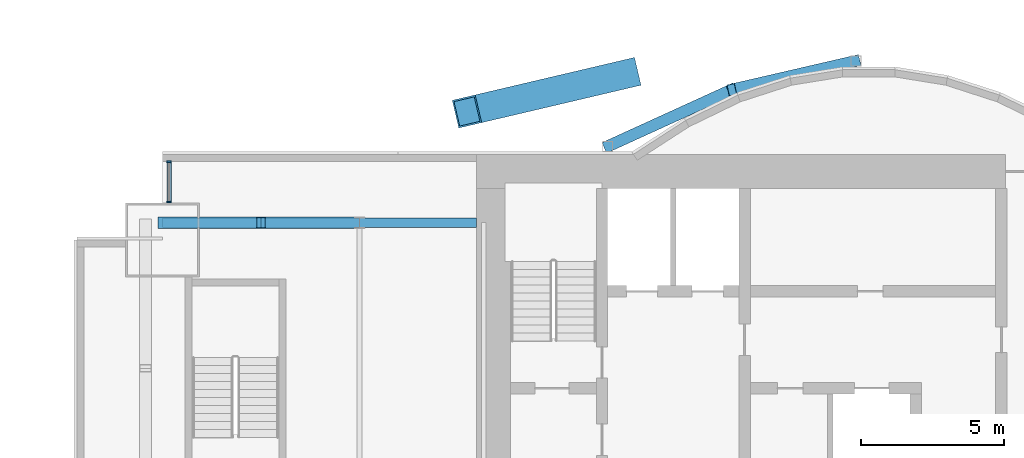
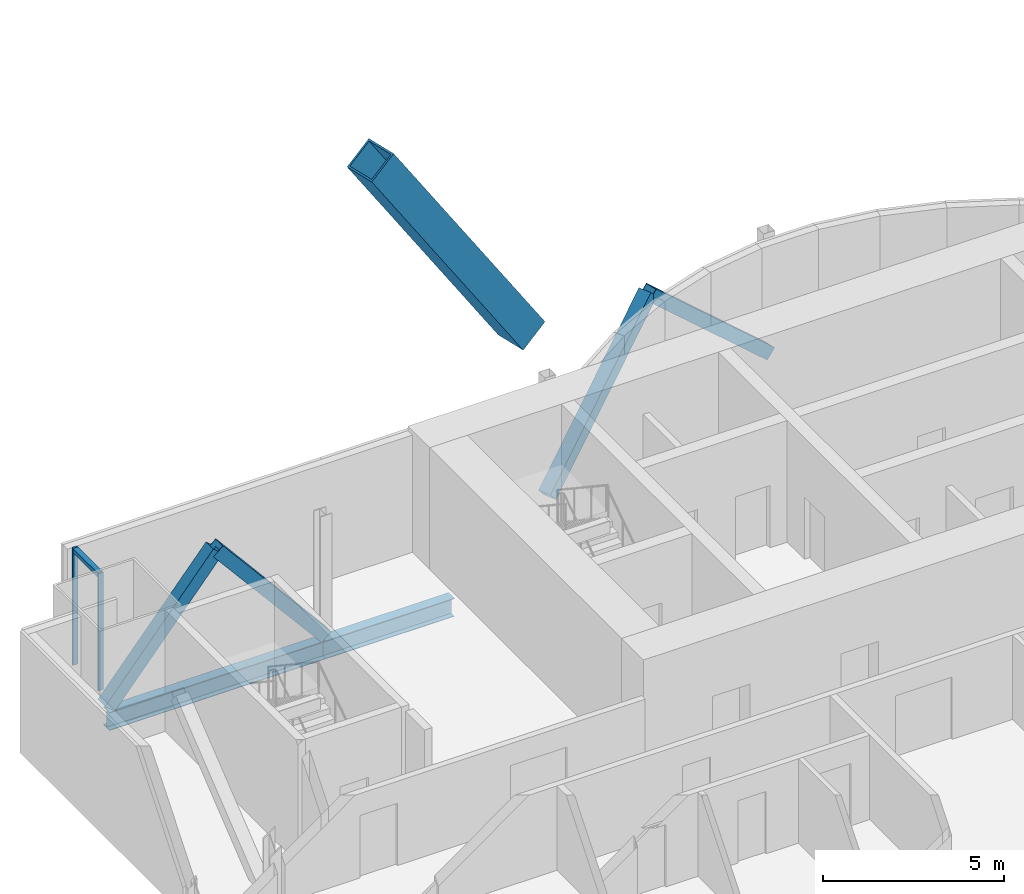
# One storey, part 12 of 24: 8 members, 2 beams, 1 element without a shape of its own.
"""IFC4 building model written with IfcOpenShell, lengths in metres."""

from ifc_helpers import new_model, si_unit, direction, frame, origin, origin_2d, place, context, subcontext, project, spatial, rectangle, hollow_rectangle, i_section, extrude, material, material_profile, profile_set, type_object, element, aggregate, save


model = new_model("IFC4")

# Units and contexts
model_context = context("Model", 3, precision=1e-05, world=origin(), true_north=direction((0.0, 1.0)))
body_context = subcontext(model_context, "Body", "Model", "MODEL_VIEW")
ifc_project = project(units=[si_unit("LENGTHUNIT", "METRE"), si_unit("AREAUNIT", "SQUARE_METRE"), si_unit("VOLUMEUNIT", "CUBIC_METRE"), si_unit("PLANEANGLEUNIT", "RADIAN"), si_unit("MASSUNIT", "GRAM", prefix="KILO")], contexts=[model_context])

# Site, building, storey
site_placement = place(None, origin())
site = spatial("IfcSite", under=ifc_project, at=site_placement, CompositionType="ELEMENT")
building_placement = place(site_placement, origin())
building = spatial("IfcBuilding", under=site, at=building_placement, Name="Bicima Exchange Tower", CompositionType="ELEMENT")
storey_placement = place(building_placement, frame((0.0, 0.0, 211.39990234375)))
storey = spatial("IfcBuildingStorey", under=building, at=storey_placement, Name="L47", CompositionType="ELEMENT", Elevation=211.39990234375)

# Member
ifc_material_1 = material(Name="Steel ASTM A572 Gr 50", Category="steel")
ifc_material_profile_1 = material_profile(ifc_material_1, hollow_rectangle(XDim=1.0, YDim=1.0, WallThickness=0.06005859375, at=origin_2d()))
ifc_profile_set_1 = profile_set([ifc_material_profile_1], Name="Steel ASTM A572 Gr 50")
member_type_1 = type_object("IfcMemberType", Name="Exo mega brace BOX 1000x1000x60", PredefinedType="BRACE", material=ifc_profile_set_1)
member_1_placement = place(storey_placement, frame((-16.75, 2.8125, 3.85009765625), z_axis=(-0.54817644634, -0.128864251848, 0.826375573377), x_axis=(0.228840031766, -0.973464041381, 0.0)))
element("IfcMember", 1, at=member_1_placement, inside=storey, type_object=member_type_1, Name="Exo mega brace rear", PredefinedType="BRACE", context=body_context, shape_type="SweptSolid", body=[
    extrude(hollow_rectangle(XDim=1.0, YDim=1.0, WallThickness=0.06005859375, at=origin_2d()), origin(), (0.0, 0.0, 1.0), 10.18505859375),
])

# Curtain wall, members
ifc_material_2 = material(Name="Anodised bronze aluminium", Category="aluminium")
curtain_wall_type = type_object("IfcCurtainWallType", Name="Front glass wall", PredefinedType="NOTDEFINED", material=ifc_material_2)
curtain_wall_placement = place(storey_placement, origin())
curtain_wall = element("IfcCurtainWall", 2, at=curtain_wall_placement, inside=storey, type_object=curtain_wall_type, Name="Front glass wall L47 run 1", PredefinedType="NOTDEFINED")
ifc_material_profile_2 = material_profile(ifc_material_2, rectangle(XDim=0.159912109375, YDim=0.06005859375, at=origin_2d()))
ifc_profile_set_2 = profile_set([ifc_material_profile_2], Name="Anodised bronze aluminium")
member_type_2 = type_object("IfcMemberType", Name="Front glass wall mullion 60 x 160", PredefinedType="MULLION", material=ifc_profile_set_2)
member_2_placement = place(storey_placement, frame((-32.77001953125, -0.260009765625, 0.0), z_axis=(0.0, 0.0, 1.0), x_axis=(1.0, 0.0, 0.0)))
member_2 = element("IfcMember", 3, at=member_2_placement, type_object=member_type_2, Name="Front glass wall mullion 1", PredefinedType="MULLION", context=body_context, shape_type="SweptSolid", body=[
    extrude(rectangle(XDim=0.159912109375, YDim=0.06005859375, at=origin_2d()), origin(), (0.0, 0.0, 1.0), 3.9501953125),
])
member_3_placement = place(storey_placement, frame((-32.77001953125, -1.669921875, 0.0), z_axis=(0.0, 0.0, 1.0), x_axis=(1.0, 0.0, 0.0)))
member_3 = element("IfcMember", 4, at=member_3_placement, type_object=member_type_2, Name="Front glass wall mullion 2", PredefinedType="MULLION", context=body_context, shape_type="SweptSolid", body=[
    extrude(rectangle(XDim=0.159912109375, YDim=0.06005859375, at=origin_2d()), origin(), (0.0, 0.0, 1.0), 3.9501953125),
])
ifc_material_profile_3 = material_profile(ifc_material_2, rectangle(XDim=0.159912109375, YDim=0.139892578125, at=origin_2d()))
ifc_profile_set_3 = profile_set([ifc_material_profile_3], Name="Anodised bronze aluminium")
member_type_3 = type_object("IfcMemberType", Name="Front glass wall transom 140 x 160", PredefinedType="USERDEFINED", material=ifc_profile_set_3)
member_4_placement = place(storey_placement, frame((-32.77001953125, -0.2900390625, 3.880126953125), z_axis=(0.0, -1.0, 0.0), x_axis=(1.0, 0.0, 0.0)))
member_4 = element("IfcMember", 5, at=member_4_placement, type_object=member_type_3, Name="Front glass wall transom 1.1", ObjectType="TRANSOM", PredefinedType="USERDEFINED", context=body_context, shape_type="SweptSolid", body=[
    extrude(rectangle(XDim=0.159912109375, YDim=0.139892578125, at=origin_2d()), origin(), (0.0, 0.0, 1.0), 1.349853515625),
])
aggregate(curtain_wall, [member_2, member_3, member_4])

# Members
ifc_material_profile_4 = material_profile(ifc_material_1, hollow_rectangle(XDim=0.406494140625, YDim=0.406494140625, WallThickness=0.0146484375, at=origin_2d()))
ifc_profile_set_4 = profile_set([ifc_material_profile_4], Name="Steel ASTM A572 Gr 50")
member_type_4 = type_object("IfcMemberType", Name="Mega brace HSS16x16x5/8", PredefinedType="BRACE", material=ifc_profile_set_4)
member_5_placement = place(storey_placement, frame((-17.39990234375, 0.278076171875, 0.0), z_axis=(0.690628963585, 0.315060460011, 0.650975069565), x_axis=(-0.415045223819, 0.909800781592, 0.0)))
element("IfcMember", 6, at=member_5_placement, inside=storey, type_object=member_type_4, Name="Mega brace rexo", PredefinedType="BRACE", context=body_context, shape_type="SweptSolid", body=[
    extrude(hollow_rectangle(XDim=0.406494140625, YDim=0.406494140625, WallThickness=0.0146484375, at=origin_2d()), origin(), (0.0, 0.0, 1.0), 6.29833984375),
])
member_6_placement = place(storey_placement, frame((-8.699951171875, 3.26904296875, 0.0), z_axis=(-0.717605620354, -0.166050509188, 0.676364843878), x_axis=(0.225438503722, -0.974257399787, 0.0)))
element("IfcMember", 7, at=member_6_placement, inside=storey, type_object=member_type_4, Name="Mega brace rexo", PredefinedType="BRACE", context=body_context, shape_type="SweptSolid", body=[
    extrude(hollow_rectangle(XDim=0.406494140625, YDim=0.406494140625, WallThickness=0.0146484375, at=origin_2d()), origin(), (0.0, 0.0, 1.0), 6.06201171875),
])
for number, where, z_axis, x_axis, name in (
    (8, (-33.0, -2.39990234375, 0.0), (0.643834042494, 0.0, 0.765165162384), (0.0, 1.0, 0.0), "Mega brace rear"),
    (9, (-26.10009765625, -2.39990234375, 0.0), (-0.643834042494, 0.0, 0.765165162384), (0.0, -1.0, 0.0), "Mega brace rear"),
):
    element("IfcMember", number, at=place(storey_placement, frame(where, z_axis=z_axis, x_axis=x_axis)), inside=storey, type_object=member_type_4, Name=name, PredefinedType="BRACE", context=body_context, shape_type="SweptSolid", body=[
        extrude(hollow_rectangle(XDim=0.406494140625, YDim=0.406494140625, WallThickness=0.0146484375, at=origin_2d()), origin(), (0.0, 0.0, 1.0), 5.3583984375),
    ])

# Beams
ifc_material_3 = material(Name="Steel ASTM A992 Gr 50", Category="steel")
ifc_material_profile_5 = material_profile(ifc_material_3, i_section(OverallWidth=0.3251953125, OverallDepth=0.612060546875, WebThickness=0.0126953125, FlangeThickness=0.01904296875, at=origin_2d()))
ifc_profile_set_5 = profile_set([ifc_material_profile_5], Name="Steel ASTM A992 Gr 50")
beam_type = type_object("IfcBeamType", Name="Rear girder W24x104", PredefinedType="BEAM", material=ifc_profile_set_5)
beam_1_placement = place(storey_placement, frame((-22.0, -2.39990234375, -0.4560546875), z_axis=(-1.0, 0.0, 0.0), x_axis=(0.0, -1.0, 0.0)))
element("IfcBeam", 10, at=beam_1_placement, inside=storey, type_object=beam_type, Name="Rear girder", PredefinedType="BEAM", context=body_context, shape_type="SweptSolid", body=[
    extrude(i_section(OverallWidth=0.3251953125, OverallDepth=0.612060546875, WebThickness=0.0126953125, FlangeThickness=0.01904296875, at=origin_2d()), origin(), (0.0, 0.0, 1.0), 4.10009765625),
])
beam_2_placement = place(storey_placement, frame((-26.10009765625, -2.39990234375, -0.4560546875), z_axis=(-1.0, 0.0, 0.0), x_axis=(0.0, -1.0, 0.0)))
element("IfcBeam", 11, at=beam_2_placement, inside=storey, type_object=beam_type, Name="Rear girder", PredefinedType="BEAM", context=body_context, shape_type="SweptSolid", body=[
    extrude(i_section(OverallWidth=0.3251953125, OverallDepth=0.612060546875, WebThickness=0.0126953125, FlangeThickness=0.01904296875, at=origin_2d()), origin(), (0.0, 0.0, 1.0), 6.89990234375),
])

save(model, "model.ifc")
